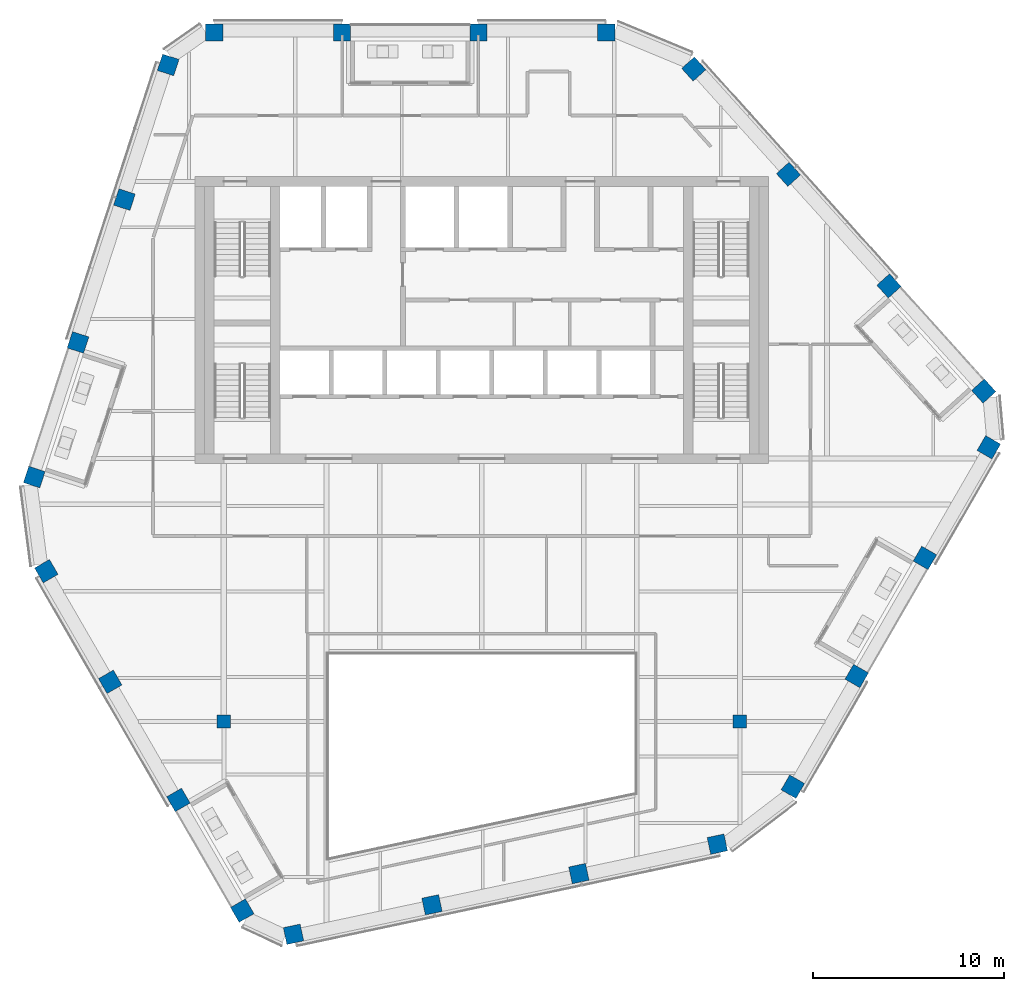
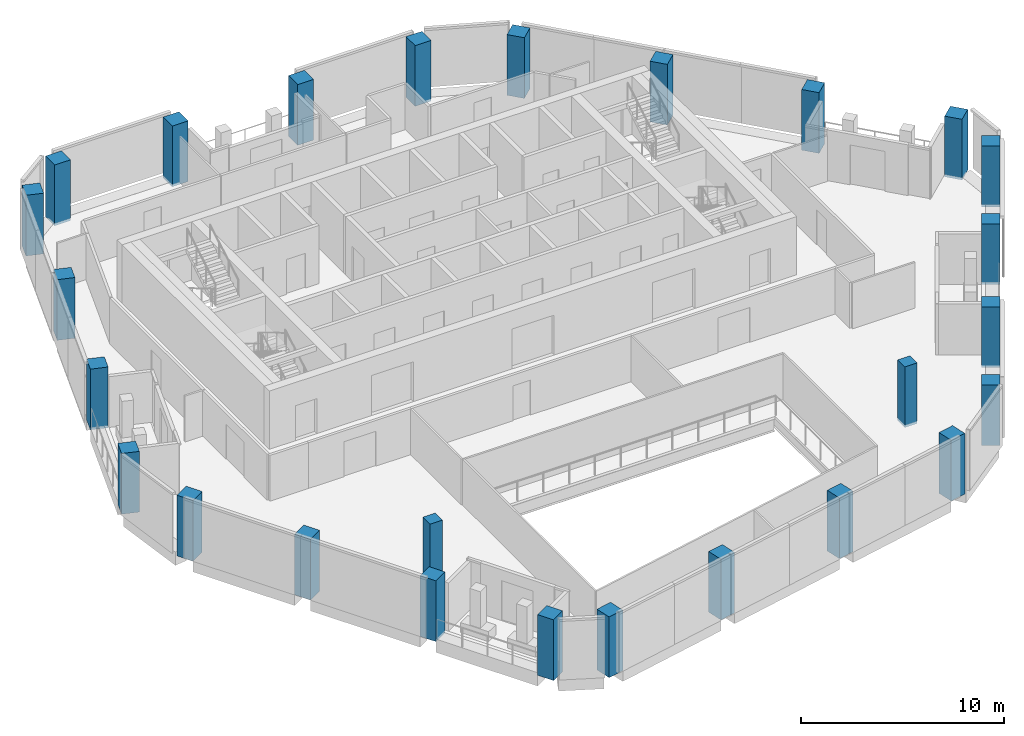
# One storey, part 1 of 20: 26 columns.
"""IFC4 building model written with IfcOpenShell, lengths in metres."""

from ifc_helpers import new_model, si_unit, direction, frame, origin, origin_2d, place, context, subcontext, project, spatial, rectangle, extrude, material, material_profile, profile_set, type_object, element, save


model = new_model("IFC4")

# Units and contexts
model_context = context("Model", 3, precision=1e-05, world=origin(), true_north=direction((0.0, 1.0)))
body_context = subcontext(model_context, "Body", "Model", "MODEL_VIEW")
ifc_project = project(units=[si_unit("LENGTHUNIT", "METRE"), si_unit("AREAUNIT", "SQUARE_METRE"), si_unit("VOLUMEUNIT", "CUBIC_METRE"), si_unit("PLANEANGLEUNIT", "RADIAN"), si_unit("MASSUNIT", "GRAM", prefix="KILO")], contexts=[model_context])

# Site, building, storey
site_placement = place(None, origin())
site = spatial("IfcSite", under=ifc_project, at=site_placement, CompositionType="ELEMENT")
building_placement = place(site_placement, origin())
building = spatial("IfcBuilding", under=site, at=building_placement, Name="Isthmus Gate Tower", CompositionType="ELEMENT")
storey_placement = place(building_placement, frame((0.0, 0.0, 279.199951171875)))
storey = spatial("IfcBuildingStorey", under=building, at=storey_placement, Name="L71", CompositionType="ELEMENT", Elevation=279.199951171875)

# Columns
ifc_material_1 = material(Name="Concrete f'c 50 MPa", Category="concrete")
ifc_material_profile_1 = material_profile(ifc_material_1, rectangle(XDim=0.699951171875, YDim=0.699951171875, at=origin_2d()), Name="RC 700X700")
ifc_profile_set_1 = profile_set([ifc_material_profile_1], Name="Concrete f'c 50 MPa")
column_type_1 = type_object("IfcColumnType", Name="RC INTERIOR COLUMN 700 X 700", PredefinedType="COLUMN", material=ifc_profile_set_1)
for number, where, z_axis, x_axis, name in (
    (1, (-13.5, -13.5, -0.14990234375), (0.0, 0.0, 1.0), (1.0, 0.0, 0.0), "str-icol-L71-ICB2"),
    (2, (13.5, -13.5, -0.14990234375), (0.0, 0.0, 1.0), (1.0, 0.0, 0.0), "str-icol-L71-ICD2"),
):
    element("IfcColumn", number, at=place(storey_placement, frame(where, z_axis=z_axis, x_axis=x_axis)), inside=storey, type_object=column_type_1, Name=name, PredefinedType="COLUMN", context=body_context, shape_type="SweptSolid", body=[
        extrude(rectangle(XDim=0.699951171875, YDim=0.699951171875, at=origin_2d()), origin(), (0.0, 0.0, 1.0), 3.64990234375),
    ])
ifc_material_2 = material(Name="Concrete f'c 50 MPa", Category="concrete")
ifc_material_profile_2 = material_profile(ifc_material_2, rectangle(XDim=0.89990234375, YDim=0.89990234375, at=origin_2d()), Name="RC 900X900")
ifc_profile_set_2 = profile_set([ifc_material_profile_2], Name="Concrete f'c 50 MPa")
column_type_2 = type_object("IfcColumnType", Name="RC TUBE COLUMN 900 X 900", PredefinedType="COLUMN", material=ifc_profile_set_2)
for number, where, z_axis, x_axis, name in (
    (3, (6.509521484375, 22.550048828125, -0.14990234375), (0.0, 0.0, 1.0), (-1.0, 0.0, 0.0), "str-tcol-L71-T4N0"),
    (4, (-0.175048828125, 22.550048828125, -0.14990234375), (0.0, 0.0, 1.0), (-1.0, 0.0, 0.0), "str-tcol-L71-T4N1"),
    (5, (-7.3095703125, 22.550048828125, -0.14990234375), (0.0, 0.0, 1.0), (-1.0, 0.0, 0.0), "str-tcol-L71-T4N2"),
    (6, (-13.994140625, 22.550048828125, -0.14990234375), (0.0, 0.0, 1.0), (-1.0, 0.0, 0.0), "str-tcol-L71-T4N3"),
    (7, (-16.408203125, 20.847900390625, -0.14990234375), (0.0, 0.0, 1.0), (-0.309016994375, -0.951056516295, 0.0), "str-tcol-L71-T4NW0"),
    (8, (-18.697021484375, 13.8037109375, -0.14990234375), (0.0, 0.0, 1.0), (-0.309016994375, -0.951056516295, 0.0), "str-tcol-L71-T4NW1"),
    (9, (-21.124755859375, 6.331298828125, -0.14990234375), (0.0, 0.0, 1.0), (-0.309016994375, -0.951056516295, 0.0), "str-tcol-L71-T4NW2"),
    (10, (-23.41357421875, -0.712890625, -0.14990234375), (0.0, 0.0, 1.0), (-0.309016994375, -0.951056516295, 0.0), "str-tcol-L71-T4NW3"),
    (11, (-22.78369140625, -5.6376953125, -0.14990234375), (0.0, 0.0, 1.0), (0.5, -0.866025403784, 0.0), "str-tcol-L71-T4SW0"),
    (12, (-19.44140625, -11.426513671875, -0.14990234375), (0.0, 0.0, 1.0), (0.5, -0.866025403784, 0.0), "str-tcol-L71-T4SW1"),
    (13, (-15.8740234375, -17.605224609375, -0.14990234375), (0.0, 0.0, 1.0), (0.5, -0.866025403784, 0.0), "str-tcol-L71-T4SW2"),
    (14, (-12.53173828125, -23.394287109375, -0.14990234375), (0.0, 0.0, 1.0), (0.5, -0.866025403784, 0.0), "str-tcol-L71-T4SW3"),
    (15, (-9.850830078125, -24.6337890625, -0.14990234375), (0.0, 0.0, 1.0), (0.978147600734, 0.207911690818, 0.0), "str-tcol-L71-T4S0"),
    (16, (-2.605712890625, -23.09375, -0.14990234375), (0.0, 0.0, 1.0), (0.978147600734, 0.207911690818, 0.0), "str-tcol-L71-T4S1"),
    (17, (5.079345703125, -21.460205078125, -0.14990234375), (0.0, 0.0, 1.0), (0.978147600734, 0.207911690818, 0.0), "str-tcol-L71-T4S2"),
    (18, (12.32421875, -19.92041015625, -0.14990234375), (0.0, 0.0, 1.0), (0.978147600734, 0.207911690818, 0.0), "str-tcol-L71-T4S3"),
    (19, (16.274169921875, -16.912353515625, -0.14990234375), (0.0, 0.0, 1.0), (0.5, 0.866025403784, 0.0), "str-tcol-L71-T4SE0"),
    (20, (19.616455078125, -11.123291015625, -0.14990234375), (0.0, 0.0, 1.0), (0.5, 0.866025403784, 0.0), "str-tcol-L71-T4SE1"),
    (21, (23.18359375, -4.944580078125, -0.14990234375), (0.0, 0.0, 1.0), (0.5, 0.866025403784, 0.0), "str-tcol-L71-T4SE2"),
    (22, (26.52587890625, 0.84423828125, -0.14990234375), (0.0, 0.0, 1.0), (0.5, 0.866025403784, 0.0), "str-tcol-L71-T4SE3"),
    (23, (26.2587890625, 3.785888671875, -0.14990234375), (0.0, 0.0, 1.0), (-0.669130606359, 0.743144825477, 0.0), "str-tcol-L71-T4NE0"),
    (24, (21.302734375, 9.290283203125, -0.14990234375), (0.0, 0.0, 1.0), (-0.669130606359, 0.743144825477, 0.0), "str-tcol-L71-T4NE1"),
    (25, (16.04541015625, 15.12890625, -0.14990234375), (0.0, 0.0, 1.0), (-0.669130606359, 0.743144825477, 0.0), "str-tcol-L71-T4NE2"),
    (26, (11.08935546875, 20.63330078125, -0.14990234375), (0.0, 0.0, 1.0), (-0.669130606359, 0.743144825477, 0.0), "str-tcol-L71-T4NE3"),
):
    element("IfcColumn", number, at=place(storey_placement, frame(where, z_axis=z_axis, x_axis=x_axis)), inside=storey, type_object=column_type_2, Name=name, PredefinedType="COLUMN", context=body_context, shape_type="SweptSolid", body=[
        extrude(rectangle(XDim=0.89990234375, YDim=0.89990234375, at=origin_2d()), origin(), (0.0, 0.0, 1.0), 3.64990234375),
    ])

save(model, "model.ifc")
